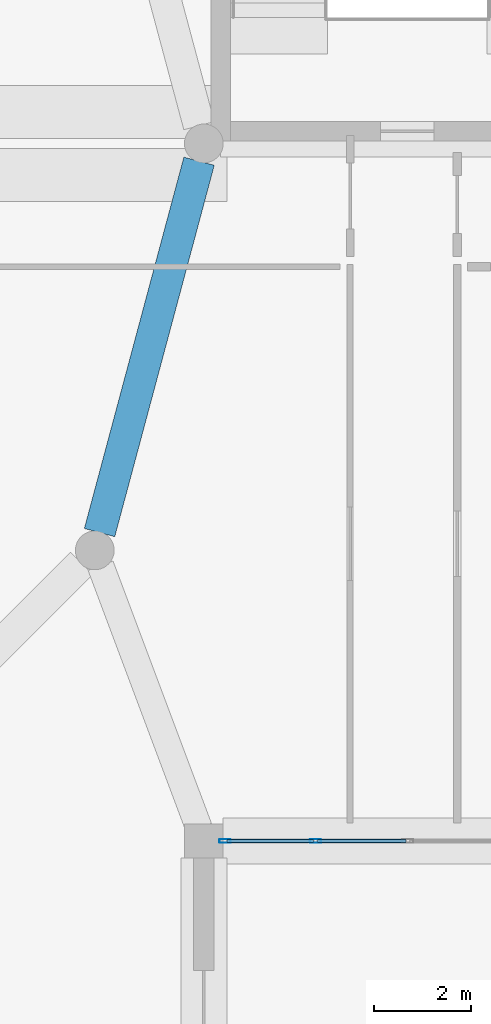
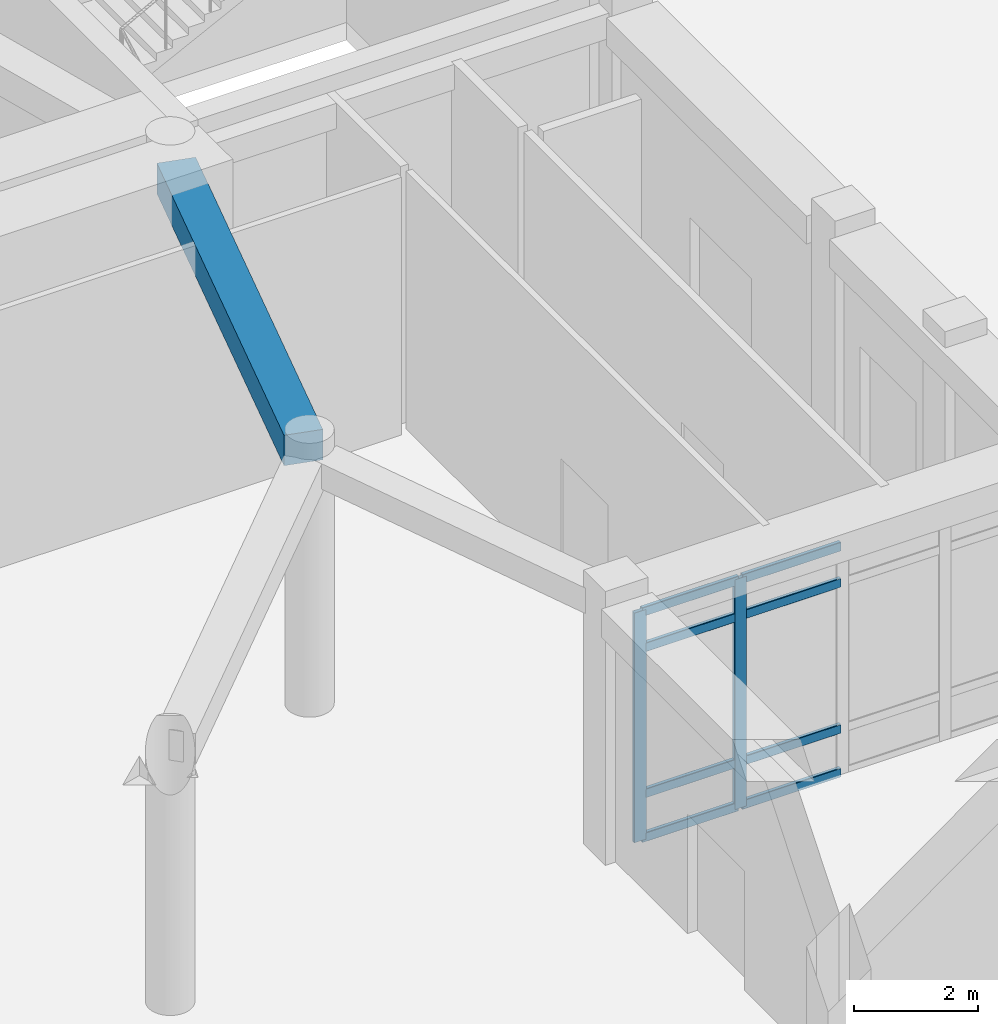
# One storey, part 25 of 84: 10 members, 1 beam, 1 element without a shape of its own.
"""IFC4 building model written with IfcOpenShell, lengths in metres."""

from ifc_helpers import new_model, si_unit, derived_unit, direction, frame, origin, origin_2d, place, context, subcontext, project, spatial, rectangle, hollow_rectangle, extrude, material, material_profile, profile_set, type_object, element, aggregate, save


model = new_model("IFC4")

# Units and contexts
model_context = context("Model", 3, precision=1e-05, world=origin(), true_north=direction((0.0, 1.0)))
body_context = subcontext(model_context, "Body", "Model", "MODEL_VIEW")
ifc_project = project(units=[si_unit("LENGTHUNIT", "METRE"), si_unit("AREAUNIT", "SQUARE_METRE"), si_unit("VOLUMEUNIT", "CUBIC_METRE"), si_unit("PLANEANGLEUNIT", "RADIAN"), si_unit("MASSUNIT", "GRAM", prefix="KILO"), derived_unit("THERMALTRANSMITTANCEUNIT", [(si_unit("POWERUNIT", "WATT"), 1), (si_unit("LENGTHUNIT", "METRE"), -2), (si_unit("THERMODYNAMICTEMPERATUREUNIT", "KELVIN"), -1)])], contexts=[model_context])

# Site, building, storey
site_placement = place(None, origin())
site = spatial("IfcSite", under=ifc_project, at=site_placement, CompositionType="ELEMENT")
building_placement = place(site_placement, origin())
building = spatial("IfcBuilding", under=site, at=building_placement, Name="Veybourne Emporium", CompositionType="ELEMENT")
storey_placement = place(building_placement, origin())
storey = spatial("IfcBuildingStorey", under=building, at=storey_placement, Name="L00", CompositionType="ELEMENT", Elevation=0.0)

# Curtain wall, members
ifc_material_1 = material(Name="Patinated Architectural Bronze", Category="bronze")
curtain_wall_type = type_object("IfcCurtainWallType", Name="CWSystem_CWS-06", PredefinedType="NOTDEFINED", material=ifc_material_1)
curtain_wall_placement = place(storey_placement, origin())
curtain_wall = element("IfcCurtainWall", 1, at=curtain_wall_placement, inside=storey, type_object=curtain_wall_type, Name="L00 bronze glazed curtain wall CWS-06 (042)", PredefinedType="NOTDEFINED")
ifc_material_profile_1 = material_profile(ifc_material_1, hollow_rectangle(XDim=0.074951171875, YDim=0.22998046875, WallThickness=0.0048828125, InnerFilletRadius=0.007568359375, OuterFilletRadius=0.012451171875, at=origin_2d()), Name="CWM 75x230x5")
ifc_profile_set_1 = profile_set([ifc_material_profile_1], Name="Patinated Architectural Bronze")
member_type_1 = type_object("IfcMemberType", Name="CWMullion_CW-M2", PredefinedType="MULLION", material=ifc_profile_set_1)
member_1_placement = place(storey_placement, frame((94.706298828125, 36.0, 0.0), z_axis=(0.0, 0.0, 1.0), x_axis=(0.0, -1.0, 0.0)))
member_1 = element("IfcMember", 2, at=member_1_placement, type_object=member_type_1, Name="CWS-06 mullion 4", PredefinedType="MULLION", context=body_context, shape_type="SweptSolid", body=[
    extrude(hollow_rectangle(XDim=0.074951171875, YDim=0.22998046875, WallThickness=0.0048828125, InnerFilletRadius=0.007568359375, OuterFilletRadius=0.012451171875, at=origin_2d()), origin(), (0.0, 0.0, 1.0), 4.530029296875),
])
member_2_placement = place(storey_placement, frame((92.83740234375, 36.0, 0.0), z_axis=(0.0, 0.0, 1.0), x_axis=(0.0, -1.0, 0.0)))
member_2 = element("IfcMember", 3, at=member_2_placement, type_object=member_type_1, Name="CWS-06 mullion 5", PredefinedType="MULLION", context=body_context, shape_type="SweptSolid", body=[
    extrude(hollow_rectangle(XDim=0.074951171875, YDim=0.22998046875, WallThickness=0.0048828125, InnerFilletRadius=0.007568359375, OuterFilletRadius=0.012451171875, at=origin_2d()), origin(), (0.0, 0.0, 1.0), 4.530029296875),
])
ifc_material_profile_2 = material_profile(ifc_material_1, hollow_rectangle(XDim=0.074951171875, YDim=0.179931640625, WallThickness=0.0048828125, InnerFilletRadius=0.007568359375, OuterFilletRadius=0.012451171875, at=origin_2d()), Name="CWT 75x180x5")
ifc_profile_set_2 = profile_set([ifc_material_profile_2], Name="Patinated Architectural Bronze")
member_type_2 = type_object("IfcMemberType", Name="CWTransom_CW-T2", PredefinedType="NOTDEFINED", material=ifc_profile_set_2)
member_3_placement = place(storey_placement, frame((96.574951171875, 36.0, 0.03759765625), z_axis=(-1.0, 0.0, 0.0), x_axis=(0.0, -1.0, 0.0)))
member_3 = element("IfcMember", 4, at=member_3_placement, type_object=member_type_2, Name="CWS-06 transom 3.1", ObjectType="TRANSOM", PredefinedType="USERDEFINED", context=body_context, shape_type="SweptSolid", body=[
    extrude(hollow_rectangle(XDim=0.074951171875, YDim=0.179931640625, WallThickness=0.0048828125, InnerFilletRadius=0.007568359375, OuterFilletRadius=0.012451171875, at=origin_2d()), origin(), (0.0, 0.0, 1.0), 1.831298828125),
])
member_4_placement = place(storey_placement, frame((96.574951171875, 36.0, 0.89990234375), z_axis=(-1.0, 0.0, 0.0), x_axis=(0.0, -1.0, 0.0)))
member_4 = element("IfcMember", 5, at=member_4_placement, type_object=member_type_2, Name="CWS-06 transom 3.2", ObjectType="TRANSOM", PredefinedType="USERDEFINED", context=body_context, shape_type="SweptSolid", body=[
    extrude(hollow_rectangle(XDim=0.074951171875, YDim=0.179931640625, WallThickness=0.0048828125, InnerFilletRadius=0.007568359375, OuterFilletRadius=0.012451171875, at=origin_2d()), origin(), (0.0, 0.0, 1.0), 1.831298828125),
])
member_5_placement = place(storey_placement, frame((96.574951171875, 36.0, 3.780029296875), z_axis=(-1.0, 0.0, 0.0), x_axis=(0.0, -1.0, 0.0)))
member_5 = element("IfcMember", 6, at=member_5_placement, type_object=member_type_2, Name="CWS-06 transom 3.3", ObjectType="TRANSOM", PredefinedType="USERDEFINED", context=body_context, shape_type="SweptSolid", body=[
    extrude(hollow_rectangle(XDim=0.074951171875, YDim=0.179931640625, WallThickness=0.0048828125, InnerFilletRadius=0.007568359375, OuterFilletRadius=0.012451171875, at=origin_2d()), origin(), (0.0, 0.0, 1.0), 1.831298828125),
])
member_6_placement = place(storey_placement, frame((96.574951171875, 36.0, 4.492431640625), z_axis=(-1.0, 0.0, 0.0), x_axis=(0.0, -1.0, 0.0)))
member_6 = element("IfcMember", 7, at=member_6_placement, type_object=member_type_2, Name="CWS-06 transom 3.4", ObjectType="TRANSOM", PredefinedType="USERDEFINED", context=body_context, shape_type="SweptSolid", body=[
    extrude(hollow_rectangle(XDim=0.074951171875, YDim=0.179931640625, WallThickness=0.0048828125, InnerFilletRadius=0.007568359375, OuterFilletRadius=0.012451171875, at=origin_2d()), origin(), (0.0, 0.0, 1.0), 1.831298828125),
])
member_7_placement = place(storey_placement, frame((94.668701171875, 36.0, 0.03759765625), z_axis=(-1.0, 0.0, 0.0), x_axis=(0.0, -1.0, 0.0)))
member_7 = element("IfcMember", 8, at=member_7_placement, type_object=member_type_2, Name="CWS-06 transom 4.1", ObjectType="TRANSOM", PredefinedType="USERDEFINED", context=body_context, shape_type="SweptSolid", body=[
    extrude(hollow_rectangle(XDim=0.074951171875, YDim=0.179931640625, WallThickness=0.0048828125, InnerFilletRadius=0.007568359375, OuterFilletRadius=0.012451171875, at=origin_2d()), origin(), (0.0, 0.0, 1.0), 1.793701171875),
])
member_8_placement = place(storey_placement, frame((94.668701171875, 36.0, 0.89990234375), z_axis=(-1.0, 0.0, 0.0), x_axis=(0.0, -1.0, 0.0)))
member_8 = element("IfcMember", 9, at=member_8_placement, type_object=member_type_2, Name="CWS-06 transom 4.2", ObjectType="TRANSOM", PredefinedType="USERDEFINED", context=body_context, shape_type="SweptSolid", body=[
    extrude(hollow_rectangle(XDim=0.074951171875, YDim=0.179931640625, WallThickness=0.0048828125, InnerFilletRadius=0.007568359375, OuterFilletRadius=0.012451171875, at=origin_2d()), origin(), (0.0, 0.0, 1.0), 1.793701171875),
])
member_9_placement = place(storey_placement, frame((94.668701171875, 36.0, 3.780029296875), z_axis=(-1.0, 0.0, 0.0), x_axis=(0.0, -1.0, 0.0)))
member_9 = element("IfcMember", 10, at=member_9_placement, type_object=member_type_2, Name="CWS-06 transom 4.3", ObjectType="TRANSOM", PredefinedType="USERDEFINED", context=body_context, shape_type="SweptSolid", body=[
    extrude(hollow_rectangle(XDim=0.074951171875, YDim=0.179931640625, WallThickness=0.0048828125, InnerFilletRadius=0.007568359375, OuterFilletRadius=0.012451171875, at=origin_2d()), origin(), (0.0, 0.0, 1.0), 1.793701171875),
])
member_10_placement = place(storey_placement, frame((94.668701171875, 36.0, 4.492431640625), z_axis=(-1.0, 0.0, 0.0), x_axis=(0.0, -1.0, 0.0)))
member_10 = element("IfcMember", 11, at=member_10_placement, type_object=member_type_2, Name="CWS-06 transom 4.4", ObjectType="TRANSOM", PredefinedType="USERDEFINED", context=body_context, shape_type="SweptSolid", body=[
    extrude(hollow_rectangle(XDim=0.074951171875, YDim=0.179931640625, WallThickness=0.0048828125, InnerFilletRadius=0.007568359375, OuterFilletRadius=0.012451171875, at=origin_2d()), origin(), (0.0, 0.0, 1.0), 1.793701171875),
])
aggregate(curtain_wall, [member_1, member_2, member_3, member_4, member_5, member_6, member_7, member_8, member_9, member_10])

# Beam
ifc_material_2 = material(Name="Concrete C32/40", Category="concrete")
ifc_material_profile_3 = material_profile(ifc_material_2, rectangle(XDim=0.64990234375, YDim=0.60009765625, at=origin_2d()), Name="RC 650x600")
ifc_profile_set_3 = profile_set([ifc_material_profile_3], Name="Concrete C32/40")
beam_type = type_object("IfcBeamType", Name="RCBeam_EB-02", PredefinedType="BEAM", material=ifc_profile_set_3)
beam_placement = place(storey_placement, frame((90.24755859375, 42.366943359375, 4.780029296875), z_axis=(0.258830392331, 0.965922785737, 0.0), x_axis=(-0.965922785737, 0.258830392331, 0.0)))
element("IfcBeam", 12, at=beam_placement, inside=storey, type_object=beam_type, Name="Atrium ring beam EB-02 L00-12", PredefinedType="BEAM", context=body_context, shape_type="SweptSolid", body=[
    extrude(rectangle(XDim=0.64990234375, YDim=0.60009765625, at=origin_2d()), origin(), (0.0, 0.0, 1.0), 7.9365234375),
])

save(model, "model.ifc")
